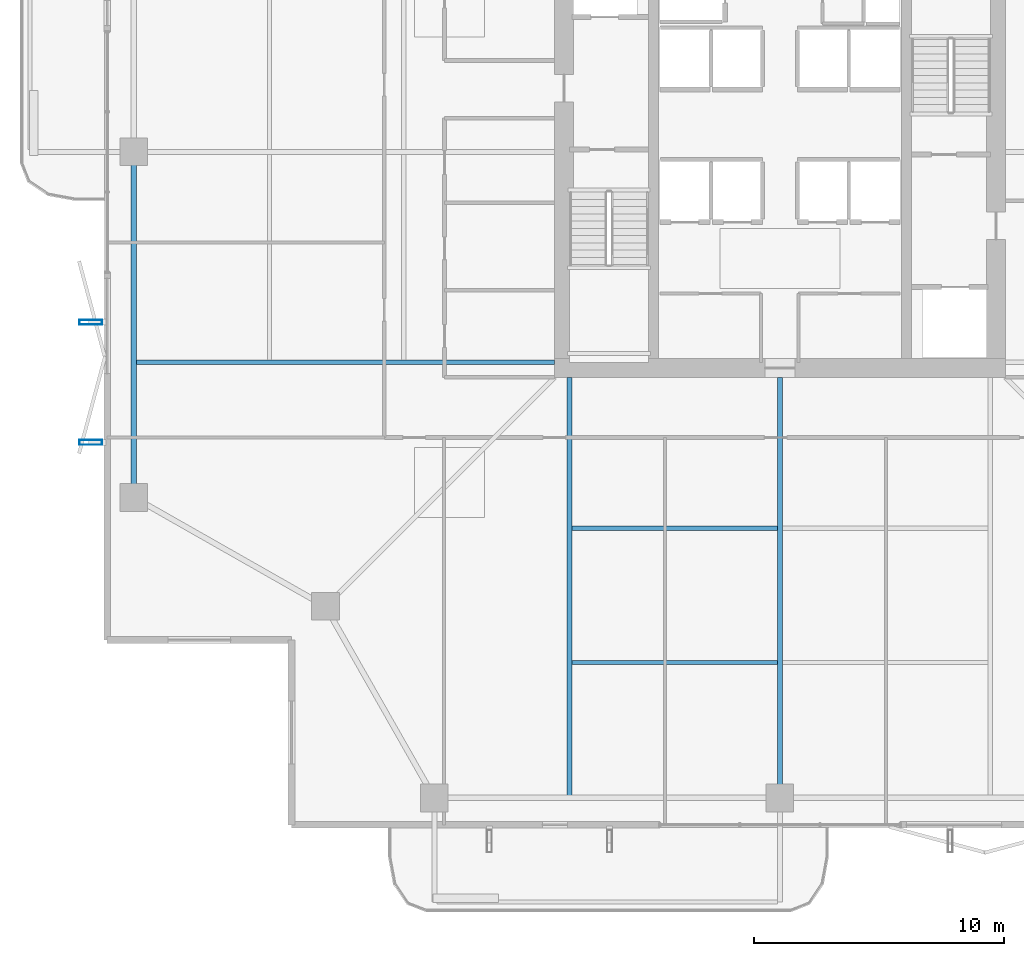
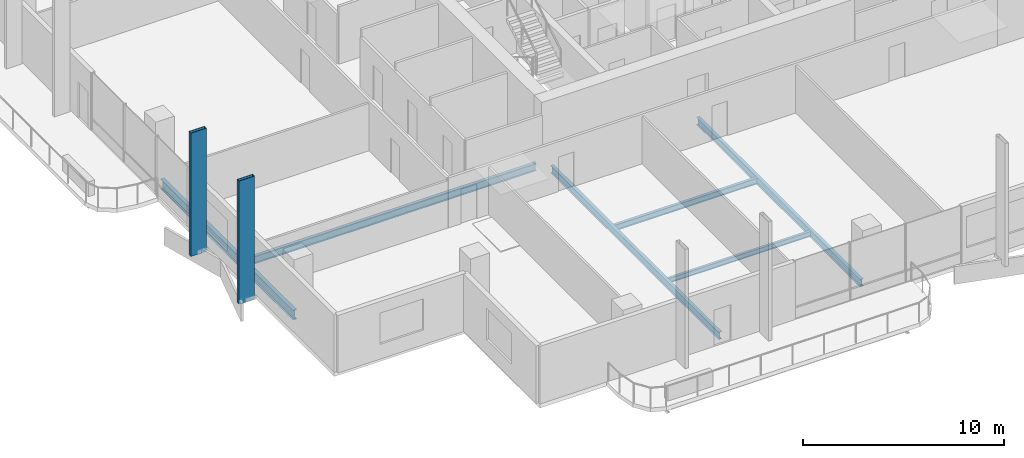
# One storey, part 3 of 24: 6 beams, 2 members.
"""IFC4 building model written with IfcOpenShell, lengths in metres."""

from ifc_helpers import new_model, si_unit, direction, frame, origin, origin_2d, place, context, subcontext, project, spatial, hollow_rectangle, i_section, extrude, material, material_profile, profile_set, type_object, element, save


model = new_model("IFC4")

# Units and contexts
model_context = context("Model", 3, precision=1e-05, world=origin(), true_north=direction((0.0, 1.0)))
body_context = subcontext(model_context, "Body", "Model", "MODEL_VIEW")
ifc_project = project(units=[si_unit("LENGTHUNIT", "METRE"), si_unit("AREAUNIT", "SQUARE_METRE"), si_unit("VOLUMEUNIT", "CUBIC_METRE"), si_unit("PLANEANGLEUNIT", "RADIAN"), si_unit("MASSUNIT", "GRAM", prefix="KILO")], contexts=[model_context])

# Site, building, storey
site_placement = place(None, origin())
site = spatial("IfcSite", under=ifc_project, at=site_placement, CompositionType="ELEMENT")
building_placement = place(site_placement, origin())
building = spatial("IfcBuilding", under=site, at=building_placement, Name="Belovzor Exchange Tower", CompositionType="ELEMENT")
storey_placement = place(building_placement, frame((0.0, 0.0, 218.699951171875)))
storey = spatial("IfcBuildingStorey", under=building, at=storey_placement, Name="L54", CompositionType="ELEMENT", Elevation=218.699951171875)

# Beams
ifc_material_1 = material(Name="Steel S355", Category="steel")
ifc_material_profile_1 = material_profile(ifc_material_1, i_section(OverallWidth=0.169921875, OverallDepth=0.360107421875, WebThickness=0.008056640625, FlangeThickness=0.0126953125, at=origin_2d()))
ifc_profile_set_1 = profile_set([ifc_material_profile_1], Name="Steel S355")
beam_type_1 = type_object("IfcBeamType", Name="Secondary Infill Floor Joist IPE 360", PredefinedType="BEAM", material=ifc_profile_set_1)
beam_1_placement = place(storey_placement, frame((20.4951171875, 13.77197265625, -0.429931640625), z_axis=(1.0, 0.0, 0.0), x_axis=(0.0, 1.0, 0.0)))
element("IfcBeam", 1, at=beam_1_placement, inside=storey, type_object=beam_type_1, Name="FJ-360 Secondary Infill Floor Joist IPE 360", PredefinedType="BEAM", context=body_context, shape_type="SweptSolid", body=[
    extrude(i_section(OverallWidth=0.169921875, OverallDepth=0.360107421875, WebThickness=0.008056640625, FlangeThickness=0.0126953125, at=origin_2d()), origin(), (0.0, 0.0, 1.0), 8.2099609375),
])
ifc_material_2 = material(Name="Steel S355", Category="steel")
ifc_material_profile_2 = material_profile(ifc_material_2, i_section(OverallWidth=0.14990234375, OverallDepth=0.300048828125, WebThickness=0.007080078125, FlangeThickness=0.0107421875, at=origin_2d()))
ifc_profile_set_2 = profile_set([ifc_material_profile_2], Name="Steel S355")
beam_type_2 = type_object("IfcBeamType", Name="Secondary Trim Floor Joist IPE 300", PredefinedType="BEAM", material=ifc_profile_set_2)
beam_2_placement = place(storey_placement, frame((20.4951171875, 8.4130859375, -0.39990234375), z_axis=(1.0, 0.0, 0.0), x_axis=(0.0, 1.0, 0.0)))
element("IfcBeam", 2, at=beam_2_placement, inside=storey, type_object=beam_type_2, Name="FJ-300 Secondary Trim Floor Joist IPE 300", PredefinedType="BEAM", context=body_context, shape_type="SweptSolid", body=[
    extrude(i_section(OverallWidth=0.14990234375, OverallDepth=0.300048828125, WebThickness=0.007080078125, FlangeThickness=0.0107421875, at=origin_2d()), origin(), (0.0, 0.0, 1.0), 8.2099609375),
])

# Members
ifc_material_3 = material(Name="Extruded Architectural Terracotta on Steel S355 Carrier", Category="masonry")
ifc_material_profile_3 = material_profile(ifc_material_3, hollow_rectangle(XDim=0.199951171875, YDim=0.89990234375, WallThickness=0.011962890625, at=origin_2d()))
ifc_profile_set_3 = profile_set([ifc_material_profile_3], Name="Extruded Architectural Terracotta on Steel S355 Carrier")
member_type = type_object("IfcMemberType", Name="Sweeping Terracotta Baguette Fin Assembly 950", PredefinedType="USERDEFINED", material=ifc_profile_set_3)
for number, where, z_axis, x_axis, name in (
    (3, (1.27490234375, 17.199951171875, -0.25), (0.0, 0.0, 1.0), (0.0, 1.0, 0.0), "FIN-TC095 Terracotta Facade Fin L54 W1"),
    (4, (1.27490234375, 22.0, -0.25), (0.0, 0.0, 1.0), (0.0, 1.0, 0.0), "FIN-TC095 Terracotta Facade Fin L54 W2"),
):
    element("IfcMember", number, at=place(storey_placement, frame(where, z_axis=z_axis, x_axis=x_axis)), inside=storey, type_object=member_type, Name=name, ObjectType="FIN", PredefinedType="USERDEFINED", context=body_context, shape_type="SweptSolid", body=[
        extrude(hollow_rectangle(XDim=0.199951171875, YDim=0.89990234375, WallThickness=0.011962890625, at=origin_2d()), origin(), (0.0, 0.0, 1.0), 7.5),
    ])

# Beams
ifc_material_4 = material(Name="Steel S355", Category="steel")
ifc_material_profile_4 = material_profile(ifc_material_4, i_section(OverallWidth=0.18994140625, OverallDepth=0.449951171875, WebThickness=0.009521484375, FlangeThickness=0.0146484375, at=origin_2d()))
ifc_profile_set_4 = profile_set([ifc_material_profile_4], Name="Steel S355")
beam_type_3 = type_object("IfcBeamType", Name="Zone 2-4 Radial Composite Floor Beam IPE 450", PredefinedType="BEAM", material=ifc_profile_set_4)
beam_3_placement = place(storey_placement, frame((20.39990234375, 19.800048828125, -0.474853515625), z_axis=(0.0, -1.0, 0.0), x_axis=(1.0, 0.0, 0.0)))
element("IfcBeam", 5, at=beam_3_placement, inside=storey, type_object=beam_type_3, Name="FB-450 Zone 2-4 Radial Composite Floor Beam IPE 450", PredefinedType="BEAM", context=body_context, shape_type="SweptSolid", body=[
    extrude(i_section(OverallWidth=0.18994140625, OverallDepth=0.449951171875, WebThickness=0.009521484375, FlangeThickness=0.0146484375, at=origin_2d()), origin(), (0.0, 0.0, 1.0), 16.7451171875),
])
beam_4_placement = place(storey_placement, frame((28.800048828125, 19.800048828125, -0.474853515625), z_axis=(0.0, -1.0, 0.0), x_axis=(1.0, 0.0, 0.0)))
element("IfcBeam", 6, at=beam_4_placement, inside=storey, type_object=beam_type_3, Name="FB-450 Zone 2-4 Radial Composite Floor Beam IPE 450", PredefinedType="BEAM", context=body_context, shape_type="SweptSolid", body=[
    extrude(i_section(OverallWidth=0.18994140625, OverallDepth=0.449951171875, WebThickness=0.009521484375, FlangeThickness=0.0146484375, at=origin_2d()), origin(), (0.0, 0.0, 1.0), 16.316162109375),
])
beam_5_placement = place(storey_placement, frame((19.800048828125, 20.39990234375, -0.474853515625), z_axis=(-1.0, 0.0, 0.0), x_axis=(0.0, -1.0, 0.0)))
element("IfcBeam", 7, at=beam_5_placement, inside=storey, type_object=beam_type_3, Name="FB-450 Zone 2-4 Radial Composite Floor Beam IPE 450", PredefinedType="BEAM", context=body_context, shape_type="SweptSolid", body=[
    extrude(i_section(OverallWidth=0.18994140625, OverallDepth=0.449951171875, WebThickness=0.009521484375, FlangeThickness=0.0146484375, at=origin_2d()), origin(), (0.0, 0.0, 1.0), 16.7451171875),
])
ifc_material_5 = material(Name="Steel S355", Category="steel")
ifc_material_profile_5 = material_profile(ifc_material_5, i_section(OverallWidth=0.219970703125, OverallDepth=0.60009765625, WebThickness=0.011962890625, FlangeThickness=0.01904296875, at=origin_2d()))
ifc_profile_set_5 = profile_set([ifc_material_profile_5], Name="Steel S355")
beam_type_4 = type_object("IfcBeamType", Name="Zone 4 Flare Primary Girder IPE 600", PredefinedType="BEAM", material=ifc_profile_set_5)
beam_6_placement = place(storey_placement, frame((3.0, 28.498046875, -0.550048828125), z_axis=(0.0, -1.0, 0.0), x_axis=(1.0, 0.0, 0.0)))
element("IfcBeam", 8, at=beam_6_placement, inside=storey, type_object=beam_type_4, Name="FG-Z4 Zone 4 Flare Primary Girder IPE 600", PredefinedType="BEAM", context=body_context, shape_type="SweptSolid", body=[
    extrude(i_section(OverallWidth=0.219970703125, OverallDepth=0.60009765625, WebThickness=0.011962890625, FlangeThickness=0.01904296875, at=origin_2d()), origin(), (0.0, 0.0, 1.0), 13.195068359375),
])

save(model, "model.ifc")
